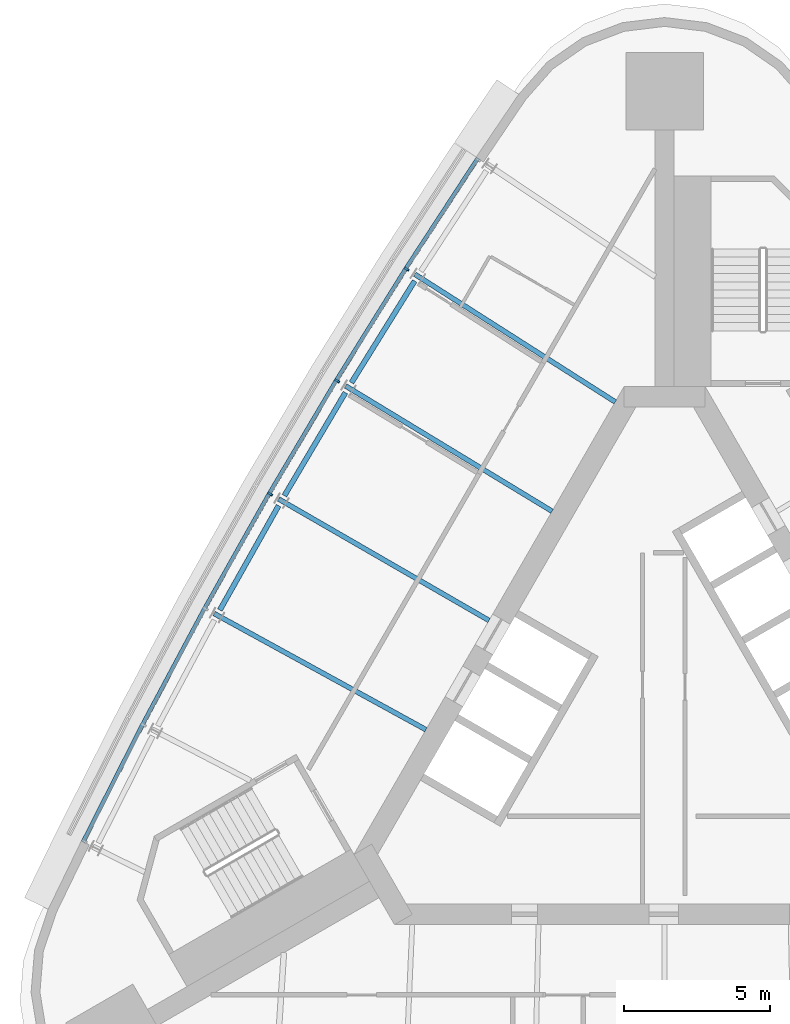
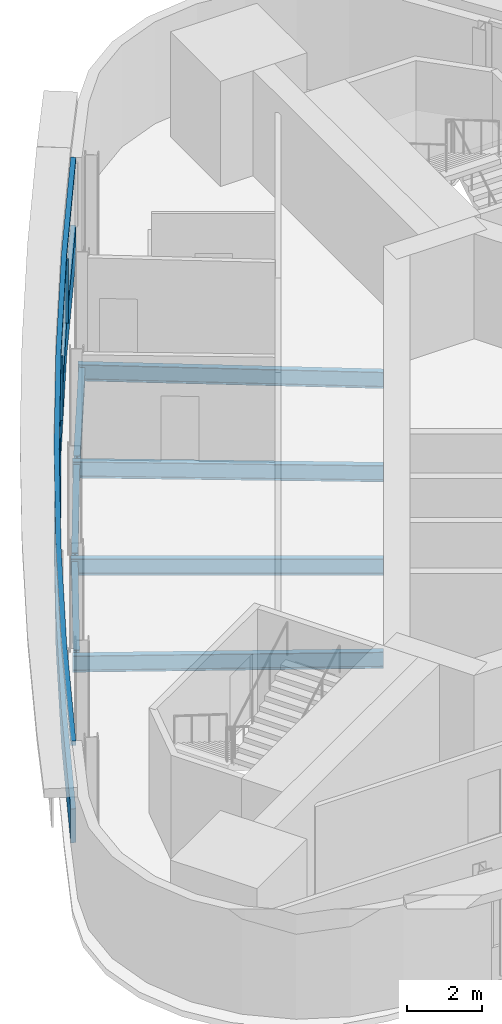
# One storey, part 3 of 11: 7 beams, 5 members, 1 element without a shape of its own.
"""IFC4 building model written with IfcOpenShell, lengths in metres."""

from ifc_helpers import new_model, si_unit, direction, frame, origin, origin_2d, place, context, subcontext, project, spatial, polyline, rectangle, i_section, outline, extrude, material, material_profile, profile_set, type_object, element, aggregate, save


model = new_model("IFC4")

# Units and contexts
model_context = context("Model", 3, precision=1e-05, world=origin(), true_north=direction((0.0, 1.0)))
body_context = subcontext(model_context, "Body", "Model", "MODEL_VIEW")
ifc_project = project(units=[si_unit("LENGTHUNIT", "METRE"), si_unit("AREAUNIT", "SQUARE_METRE"), si_unit("VOLUMEUNIT", "CUBIC_METRE"), si_unit("PLANEANGLEUNIT", "RADIAN"), si_unit("MASSUNIT", "GRAM", prefix="KILO")], contexts=[model_context])

# Site, building, storey
site_placement = place(None, origin())
site = spatial("IfcSite", under=ifc_project, at=site_placement, CompositionType="ELEMENT")
building_placement = place(site_placement, origin())
building = spatial("IfcBuilding", under=site, at=building_placement, Name="Noor Cloister Tower", CompositionType="ELEMENT")
storey_placement = place(building_placement, frame((0.0, 0.0, 203.10009765625)))
storey = spatial("IfcBuildingStorey", under=building, at=storey_placement, Name="L52", CompositionType="ELEMENT", Elevation=203.10009765625)

# Curtain wall, members
ifc_material_1 = material(Name="Aluminium 6063-T6 anodised", Category="aluminium")
curtain_wall_type = type_object("IfcCurtainWallType", Name="Ribbon curtain wall, upper tower CW5", PredefinedType="NOTDEFINED", material=ifc_material_1)
curtain_wall_placement = place(storey_placement, origin())
curtain_wall = element("IfcCurtainWall", 1, at=curtain_wall_placement, inside=storey, type_object=curtain_wall_type, Name="CW5 L52 NW run 1", PredefinedType="NOTDEFINED")
ifc_material_2 = material(Name="Aluminium 6063-T6 anodised", Category="aluminium")
member_type_1 = type_object("IfcMemberType", Name="Head transom CW5 150", PredefinedType="USERDEFINED", material=ifc_material_2)
member_1_placement = place(storey_placement, frame((0.0, 0.0, 3.14990234375)))
member_1 = element("IfcMember", 2, at=member_1_placement, type_object=member_type_1, Name="CW5 head transom", ObjectType="TRANSOM", PredefinedType="USERDEFINED", context=body_context, shape_type="SweptSolid", body=[
    extrude(outline(polyline([(-6.43896484375, 19.294677734375), (-8.898681640625, 15.526611328125), (-11.275390625, 11.70556640625), (-13.56787109375, 7.83349609375), (-15.775146484375, 3.912109375), (-17.895751953125, -0.056884765625), (-19.92919921875, -4.071044921875), (-19.804443359375, -4.13427734375), (-17.771728515625, -0.121337890625), (-15.65234375, 3.8447265625), (-13.446533203125, 7.763427734375), (-11.15576171875, 11.633056640625), (-8.78076171875, 15.451416015625), (-6.32177734375, 19.21826171875), (-6.43896484375, 19.294677734375)])), origin(), (0.0, 0.0, 1.0), 0.14990234375),
])
ifc_material_3 = material(Name="Aluminium 6063-T6 anodised", Category="aluminium")
ifc_material_profile_1 = material_profile(ifc_material_3, rectangle(XDim=0.179931640625, YDim=0.070068359375, at=origin_2d()), Name="180 x 70 mullion")
ifc_profile_set_1 = profile_set([ifc_material_profile_1], Name="Aluminium 6063-T6 anodised")
member_type_2 = type_object("IfcMemberType", Name="Mullion CW5 70 x 180", PredefinedType="MULLION", material=ifc_profile_set_1)
member_2_placement = place(storey_placement, frame((-8.814453125, 15.472900390625, 1.099853515625), z_axis=(0.0, 0.0, 1.0), x_axis=(0.843311023043, -0.537425825965, 0.0)))
member_2 = element("IfcMember", 3, at=member_2_placement, type_object=member_type_2, Name="CW5 mullion 2", PredefinedType="MULLION", context=body_context, shape_type="SweptSolid", body=[
    extrude(rectangle(XDim=0.179931640625, YDim=0.070068359375, at=origin_2d()), origin(), (0.0, 0.0, 1.0), 2.050048828125),
])
member_3_placement = place(storey_placement, frame((-11.18994140625, 11.65380859375, 1.099853515625), z_axis=(0.0, 0.0, 1.0), x_axis=(0.854873043434, -0.518837238071, 0.0)))
member_3 = element("IfcMember", 4, at=member_3_placement, type_object=member_type_2, Name="CW5 mullion 3", PredefinedType="MULLION", context=body_context, shape_type="SweptSolid", body=[
    extrude(rectangle(XDim=0.179931640625, YDim=0.070068359375, at=origin_2d()), origin(), (0.0, 0.0, 1.0), 2.050048828125),
])
member_4_placement = place(storey_placement, frame((-13.481201171875, 7.783447265625, 1.099853515625), z_axis=(0.0, 0.0, 1.0), x_axis=(0.866025403784, -0.5, 0.0)))
member_4 = element("IfcMember", 5, at=member_4_placement, type_object=member_type_2, Name="CW5 mullion 4", PredefinedType="MULLION", context=body_context, shape_type="SweptSolid", body=[
    extrude(rectangle(XDim=0.179931640625, YDim=0.070068359375, at=origin_2d()), origin(), (0.0, 0.0, 1.0), 2.050048828125),
])

# Beams
ifc_material_4 = material(Name="Steel ASTM A992 Gr 50", Category="steel")
ifc_material_profile_2 = material_profile(ifc_material_4, i_section(OverallWidth=0.166015625, OverallDepth=0.528076171875, WebThickness=0.009765625, FlangeThickness=0.013671875, FilletRadius=0.0126953125, at=origin_2d()), Name="W530x74")
ifc_profile_set_2 = profile_set([ifc_material_profile_2], Name="Steel ASTM A992 Gr 50")
beam_type_1 = type_object("IfcBeamType", Name="Radial beam W530x74", PredefinedType="BEAM", material=ifc_profile_set_2)
beam_1_placement = place(storey_placement, frame((-8.529296875, 15.291259765625, -0.464111328125), z_axis=(0.843305632065, -0.537434285217, 0.0), x_axis=(0.537434285217, 0.843305632065, 0.0)))
element("IfcBeam", 6, at=beam_1_placement, inside=storey, type_object=beam_type_1, Name="Radial beam NW 02 L52", PredefinedType="BEAM", context=body_context, shape_type="SweptSolid", body=[
    extrude(i_section(OverallWidth=0.166015625, OverallDepth=0.528076171875, WebThickness=0.009765625, FlangeThickness=0.013671875, FilletRadius=0.0126953125, at=origin_2d()), origin(), (0.0, 0.0, 1.0), 8.11181640625),
])
beam_2_placement = place(storey_placement, frame((-10.90087890625, 11.478271484375, -0.464111328125), z_axis=(0.854871861659, -0.518839185242, 0.0), x_axis=(0.518839185242, 0.854871861659, 0.0)))
element("IfcBeam", 7, at=beam_2_placement, inside=storey, type_object=beam_type_1, Name="Radial beam NW 03 L52", PredefinedType="BEAM", context=body_context, shape_type="SweptSolid", body=[
    extrude(i_section(OverallWidth=0.166015625, OverallDepth=0.528076171875, WebThickness=0.009765625, FlangeThickness=0.013671875, FilletRadius=0.0126953125, at=origin_2d()), origin(), (0.0, 0.0, 1.0), 8.25341796875),
])
beam_3_placement = place(storey_placement, frame((-13.1884765625, 7.614501953125, -0.464111328125), z_axis=(0.866019052629, -0.500011000363, 0.0), x_axis=(0.500011000363, 0.866019052629, 0.0)))
element("IfcBeam", 8, at=beam_3_placement, inside=storey, type_object=beam_type_1, Name="Radial beam NW 04 L52", PredefinedType="BEAM", context=body_context, shape_type="SweptSolid", body=[
    extrude(i_section(OverallWidth=0.166015625, OverallDepth=0.528076171875, WebThickness=0.009765625, FlangeThickness=0.013671875, FilletRadius=0.0126953125, at=origin_2d()), origin(), (0.0, 0.0, 1.0), 8.300537109375),
])
beam_4_placement = place(storey_placement, frame((-15.39111328125, 3.701416015625, -0.464111328125), z_axis=(0.876764933671, -0.480919173131, 0.0), x_axis=(0.480919173131, 0.876764933671, 0.0)))
element("IfcBeam", 9, at=beam_4_placement, inside=storey, type_object=beam_type_1, Name="Radial beam NW 05 L52", PredefinedType="BEAM", context=body_context, shape_type="SweptSolid", body=[
    extrude(i_section(OverallWidth=0.166015625, OverallDepth=0.528076171875, WebThickness=0.009765625, FlangeThickness=0.013671875, FilletRadius=0.0126953125, at=origin_2d()), origin(), (0.0, 0.0, 1.0), 8.25341796875),
])

# Member
ifc_material_5 = material(Name="Aluminium 6063-T6 anodised", Category="aluminium")
member_type_3 = type_object("IfcMemberType", Name="Sill transom CW5 1100", PredefinedType="USERDEFINED", material=ifc_material_5)
member_5_placement = place(storey_placement, origin())
member_5 = element("IfcMember", 10, at=member_5_placement, type_object=member_type_3, Name="CW5 sill transom", ObjectType="TRANSOM", PredefinedType="USERDEFINED", context=body_context, shape_type="SweptSolid", body=[
    extrude(outline(polyline([(-6.43896484375, 19.294677734375), (-8.898681640625, 15.526611328125), (-11.275390625, 11.70556640625), (-13.56787109375, 7.83349609375), (-15.775146484375, 3.912109375), (-17.895751953125, -0.056884765625), (-19.92919921875, -4.071044921875), (-19.804443359375, -4.13427734375), (-17.771728515625, -0.121337890625), (-15.65234375, 3.8447265625), (-13.446533203125, 7.763427734375), (-11.15576171875, 11.633056640625), (-8.78076171875, 15.451416015625), (-6.32177734375, 19.21826171875), (-6.43896484375, 19.294677734375)])), origin(), (0.0, 0.0, 1.0), 1.099853515625),
])

aggregate(curtain_wall, [member_2, member_3, member_4, member_5, member_1])

# Beams
ifc_material_6 = material(Name="Steel ASTM A992 Gr 50", Category="steel")
ifc_material_profile_3 = material_profile(ifc_material_6, i_section(OverallWidth=0.177978515625, OverallDepth=0.406005859375, WebThickness=0.0078125, FlangeThickness=0.0126953125, FilletRadius=0.01025390625, at=origin_2d()), Name="W410x60")
ifc_profile_set_3 = profile_set([ifc_material_profile_3], Name="Steel ASTM A992 Gr 50")
beam_type_2 = type_object("IfcBeamType", Name="Spandrel beam W410x60", PredefinedType="SPANDREL", material=ifc_profile_set_3)
for number, where, z_axis, x_axis, name in (
    (11, (-8.5390625, 15.063720703125, -0.403076171875), (-0.528137553782, -0.849158833367, 0.0), (0.849158833367, -0.528137553782, 0.0), "Spandrel beam NW 02 L52"),
    (12, (-10.905517578125, 11.250732421875, -0.403076171875), (-0.509470509715, -0.860488117135, 0.0), (0.860488117135, -0.509470509715, 0.0), "Spandrel beam NW 03 L52"),
):
    element("IfcBeam", number, at=place(storey_placement, frame(where, z_axis=z_axis, x_axis=x_axis)), inside=storey, type_object=beam_type_2, Name=name, PredefinedType="SPANDREL", context=body_context, shape_type="SweptSolid", body=[
        extrude(i_section(OverallWidth=0.177978515625, OverallDepth=0.406005859375, WebThickness=0.0078125, FlangeThickness=0.0126953125, FilletRadius=0.01025390625, at=origin_2d()), origin(), (0.0, 0.0, 1.0), 4.09375),
    ])
beam_5_placement = place(storey_placement, frame((-13.188232421875, 7.38671875, -0.403076171875), z_axis=(-0.490496221851, -0.871443317922, 0.0), x_axis=(0.871443317922, -0.490496221851, 0.0)))
element("IfcBeam", 13, at=beam_5_placement, inside=storey, type_object=beam_type_2, Name="Spandrel beam NW 04 L52", PredefinedType="SPANDREL", context=body_context, shape_type="SweptSolid", body=[
    extrude(i_section(OverallWidth=0.177978515625, OverallDepth=0.406005859375, WebThickness=0.0078125, FlangeThickness=0.0126953125, FilletRadius=0.01025390625, at=origin_2d()), origin(), (0.0, 0.0, 1.0), 4.093994140625),
])

save(model, "model.ifc")
